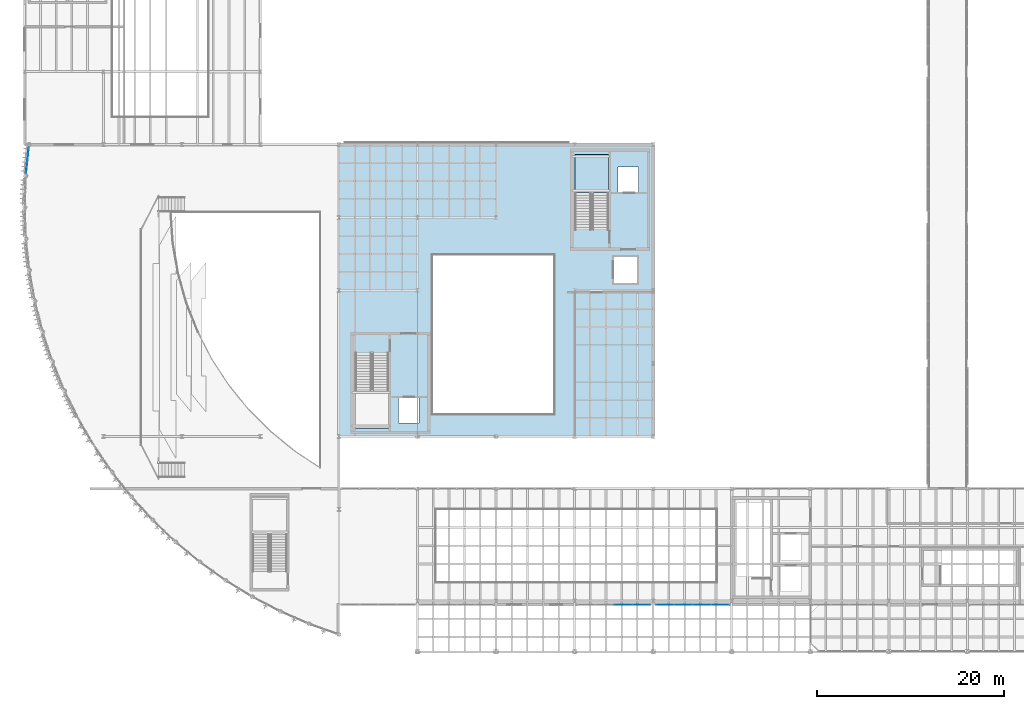
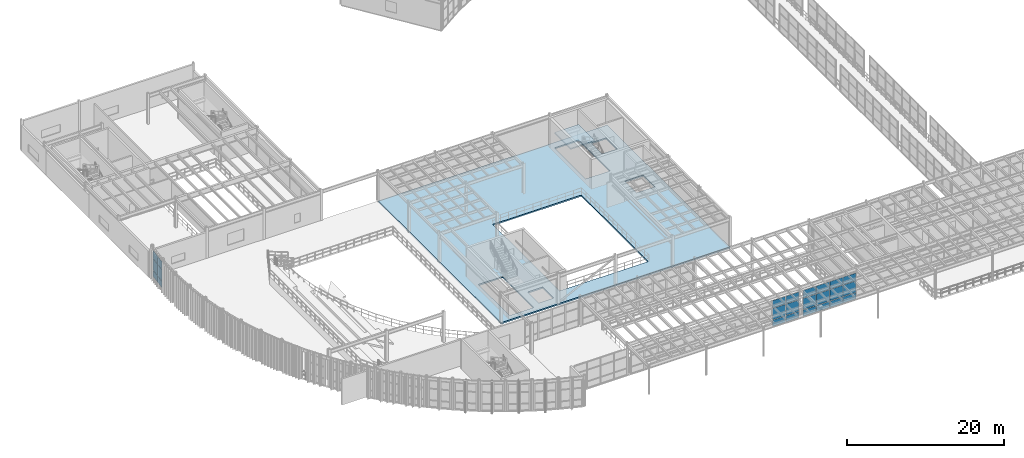
# One storey, part 75 of 105: 24 plates, 2 slabs, 4 elements without a shape of their own.
"""IFC4 building model written with IfcOpenShell, lengths in metres."""

from ifc_helpers import new_model, si_unit, direction, frame, origin, origin_2d, place, context, subcontext, project, spatial, polyline, rectangle, outline, extrude, material, layer, layer_set, type_object, element, aggregate, save


model = new_model("IFC4")

# Units and contexts
model_context = context("Model", 3, precision=1e-05, world=origin(), true_north=direction((0.0, 1.0)))
body_context = subcontext(model_context, "Body", "Model", "MODEL_VIEW")
ifc_project = project(units=[si_unit("LENGTHUNIT", "METRE"), si_unit("AREAUNIT", "SQUARE_METRE"), si_unit("VOLUMEUNIT", "CUBIC_METRE"), si_unit("PLANEANGLEUNIT", "RADIAN"), si_unit("MASSUNIT", "GRAM", prefix="KILO")], contexts=[model_context])

# Site, building, storey
site_placement = place(None, origin())
site = spatial("IfcSite", under=ifc_project, at=site_placement, CompositionType="ELEMENT")
building_placement = place(site_placement, origin())
building = spatial("IfcBuilding", under=site, at=building_placement, Name="Selat Folded Stagehouse", CompositionType="ELEMENT")
storey_placement = place(building_placement, frame((0.0, 0.0, 10.199951171875)))
storey = spatial("IfcBuildingStorey", under=building, at=storey_placement, Name="L02", CompositionType="ELEMENT", Elevation=10.199951171875)

# Curtain wall, plates
ifc_material_1 = material(Name="Aluminium 6063-T6", Category="aluminium")
ifc_layer_1 = layer(ifc_material_1, 0.199951171875)
ifc_layer_set_1 = layer_set([ifc_layer_1], Name="Aluminium 6063-T6")
curtain_wall_type_1 = type_object("IfcCurtainWallType", Name="CW-DRM-MID", PredefinedType="NOTDEFINED", material=ifc_layer_set_1)
curtain_wall_1_placement = place(storey_placement, origin())
curtain_wall_1 = element("IfcCurtainWall", 1, at=curtain_wall_1_placement, inside=storey, type_object=curtain_wall_type_1, Name="L02 curtain wall CW-DRM-L02-00", PredefinedType="NOTDEFINED")
ifc_material_2 = material(Name="Laminated low-E double glazing", Category="glass")
ifc_layer_2 = layer(ifc_material_2, 0.031982421875)
ifc_layer_set_2 = layer_set([ifc_layer_2], Name="Laminated low-E double glazing")
plate_type_1 = type_object("IfcPlateType", Name="CWP-GLZ-DGU32", PredefinedType="CURTAIN_PANEL", material=ifc_layer_set_2)
plate_1_placement = place(storey_placement, frame((0.211181640625, 52.22705078125, 0.06494140625), z_axis=(0.0, 0.0, 1.0), x_axis=(0.102616116059, 0.994721032614, 0.0)))
plate_1 = element("IfcPlate", 2, at=plate_1_placement, type_object=plate_type_1, Name="CW-02 panel 1.1", PredefinedType="CURTAIN_PANEL", context=body_context, shape_type="SweptSolid", body=[
    extrude(rectangle(XDim=1.3369140625, YDim=0.031982421875, at=origin_2d()), origin(), (0.0, 0.0, 1.0), 0.952392578125),
])
plate_2_placement = place(storey_placement, frame((0.211181640625, 52.22705078125, 1.08251953125), z_axis=(0.0, 0.0, 1.0), x_axis=(0.102616116059, 0.994721032614, 0.0)))
plate_2 = element("IfcPlate", 3, at=plate_2_placement, type_object=plate_type_1, Name="CW-02 panel 1.2", PredefinedType="CURTAIN_PANEL", context=body_context, shape_type="SweptSolid", body=[
    extrude(rectangle(XDim=1.3369140625, YDim=0.031982421875, at=origin_2d()), origin(), (0.0, 0.0, 1.0), 1.735107421875),
])
plate_3_placement = place(storey_placement, frame((0.211181640625, 52.22705078125, 2.882568359375), z_axis=(0.0, 0.0, 1.0), x_axis=(0.102616116059, 0.994721032614, 0.0)))
plate_3 = element("IfcPlate", 4, at=plate_3_placement, type_object=plate_type_1, Name="CW-02 panel 1.3", PredefinedType="CURTAIN_PANEL", context=body_context, shape_type="SweptSolid", body=[
    extrude(rectangle(XDim=1.3369140625, YDim=0.031982421875, at=origin_2d()), origin(), (0.0, 0.0, 1.0), 1.21240234375),
])
plate_4_placement = place(storey_placement, frame((0.35498046875, 53.62158203125, 0.06494140625), z_axis=(0.0, 0.0, 1.0), x_axis=(0.102616116059, 0.994721032614, 0.0)))
plate_4 = element("IfcPlate", 5, at=plate_4_placement, type_object=plate_type_1, Name="CW-02 panel 2.1", PredefinedType="CURTAIN_PANEL", context=body_context, shape_type="SweptSolid", body=[
    extrude(rectangle(XDim=1.3369140625, YDim=0.031982421875, at=origin_2d()), origin(), (0.0, 0.0, 1.0), 0.952392578125),
])
plate_5_placement = place(storey_placement, frame((0.35498046875, 53.62158203125, 1.08251953125), z_axis=(0.0, 0.0, 1.0), x_axis=(0.102616116059, 0.994721032614, 0.0)))
plate_5 = element("IfcPlate", 6, at=plate_5_placement, type_object=plate_type_1, Name="CW-02 panel 2.2", PredefinedType="CURTAIN_PANEL", context=body_context, shape_type="SweptSolid", body=[
    extrude(rectangle(XDim=1.3369140625, YDim=0.031982421875, at=origin_2d()), origin(), (0.0, 0.0, 1.0), 1.735107421875),
])
plate_6_placement = place(storey_placement, frame((0.35498046875, 53.62158203125, 2.882568359375), z_axis=(0.0, 0.0, 1.0), x_axis=(0.102616116059, 0.994721032614, 0.0)))
plate_6 = element("IfcPlate", 7, at=plate_6_placement, type_object=plate_type_1, Name="CW-02 panel 2.3", PredefinedType="CURTAIN_PANEL", context=body_context, shape_type="SweptSolid", body=[
    extrude(rectangle(XDim=1.3369140625, YDim=0.031982421875, at=origin_2d()), origin(), (0.0, 0.0, 1.0), 1.21240234375),
])
aggregate(curtain_wall_1, [plate_1, plate_2, plate_3, plate_4, plate_5, plate_6])

ifc_layer_3 = layer(ifc_material_1, 0.2099609375)
ifc_layer_set_3 = layer_set([ifc_layer_3], Name="Aluminium 6063-T6")
curtain_wall_type_2 = type_object("IfcCurtainWallType", Name="CW-FYR-SOUTH", PredefinedType="NOTDEFINED", material=ifc_layer_set_3)
curtain_wall_2_placement = place(storey_placement, origin())
curtain_wall_2 = element("IfcCurtainWall", 8, at=curtain_wall_2_placement, inside=storey, type_object=curtain_wall_type_2, Name="L02 curtain wall CW-FYR-L02-02", PredefinedType="NOTDEFINED")
ifc_material_3 = material(Name="Acoustic laminated double glazing", Category="glass")
ifc_layer_4 = layer(ifc_material_3, 0.035888671875)
ifc_layer_set_4 = layer_set([ifc_layer_4], Name="Acoustic laminated double glazing")
plate_type_2 = type_object("IfcPlateType", Name="CWP-GLZ-DGU36", PredefinedType="CURTAIN_PANEL", material=ifc_layer_set_4)
plate_7_placement = place(storey_placement, frame((65.9462890625, 5.39990234375, 0.06494140625), z_axis=(0.0, 0.0, 1.0), x_axis=(-1.0, 0.0, 0.0)))
plate_7 = element("IfcPlate", 9, at=plate_7_placement, type_object=plate_type_2, Name="CW-04 panel 1.1", PredefinedType="CURTAIN_PANEL", context=body_context, shape_type="SweptSolid", body=[
    extrude(rectangle(XDim=1.87744140625, YDim=0.035888671875, at=origin_2d()), origin(), (0.0, 0.0, 1.0), 0.952392578125),
])
plate_8_placement = place(storey_placement, frame((65.9462890625, 5.39990234375, 1.08251953125), z_axis=(0.0, 0.0, 1.0), x_axis=(-1.0, 0.0, 0.0)))
plate_8 = element("IfcPlate", 10, at=plate_8_placement, type_object=plate_type_2, Name="CW-04 panel 1.2", PredefinedType="CURTAIN_PANEL", context=body_context, shape_type="SweptSolid", body=[
    extrude(rectangle(XDim=1.87744140625, YDim=0.035888671875, at=origin_2d()), origin(), (0.0, 0.0, 1.0), 1.735107421875),
])
plate_9_placement = place(storey_placement, frame((65.9462890625, 5.39990234375, 2.88232421875), z_axis=(0.0, 0.0, 1.0), x_axis=(-1.0, 0.0, 0.0)))
plate_9 = element("IfcPlate", 11, at=plate_9_placement, type_object=plate_type_2, Name="CW-04 panel 1.3", PredefinedType="CURTAIN_PANEL", context=body_context, shape_type="SweptSolid", body=[
    extrude(rectangle(XDim=1.87744140625, YDim=0.035888671875, at=origin_2d()), origin(), (0.0, 0.0, 1.0), 1.172607421875),
])
plate_10_placement = place(storey_placement, frame((63.987548828125, 5.39990234375, 0.06494140625), z_axis=(0.0, 0.0, 1.0), x_axis=(-1.0, 0.0, 0.0)))
plate_10 = element("IfcPlate", 12, at=plate_10_placement, type_object=plate_type_2, Name="CW-04 panel 2.1", PredefinedType="CURTAIN_PANEL", context=body_context, shape_type="SweptSolid", body=[
    extrude(rectangle(XDim=1.909912109375, YDim=0.035888671875, at=origin_2d()), origin(), (0.0, 0.0, 1.0), 0.952392578125),
])
plate_11_placement = place(storey_placement, frame((63.987548828125, 5.39990234375, 1.08251953125), z_axis=(0.0, 0.0, 1.0), x_axis=(-1.0, 0.0, 0.0)))
plate_11 = element("IfcPlate", 13, at=plate_11_placement, type_object=plate_type_2, Name="CW-04 panel 2.2", PredefinedType="CURTAIN_PANEL", context=body_context, shape_type="SweptSolid", body=[
    extrude(rectangle(XDim=1.909912109375, YDim=0.035888671875, at=origin_2d()), origin(), (0.0, 0.0, 1.0), 1.735107421875),
])
plate_12_placement = place(storey_placement, frame((63.987548828125, 5.39990234375, 2.88232421875), z_axis=(0.0, 0.0, 1.0), x_axis=(-1.0, 0.0, 0.0)))
plate_12 = element("IfcPlate", 14, at=plate_12_placement, type_object=plate_type_2, Name="CW-04 panel 2.3", PredefinedType="CURTAIN_PANEL", context=body_context, shape_type="SweptSolid", body=[
    extrude(rectangle(XDim=1.909912109375, YDim=0.035888671875, at=origin_2d()), origin(), (0.0, 0.0, 1.0), 1.172607421875),
])
aggregate(curtain_wall_2, [plate_7, plate_8, plate_9, plate_10, plate_11, plate_12])

curtain_wall_3_placement = place(storey_placement, origin())
curtain_wall_3 = element("IfcCurtainWall", 15, at=curtain_wall_3_placement, inside=storey, type_object=curtain_wall_type_2, Name="L02 curtain wall CW-FYR-L02-03", PredefinedType="NOTDEFINED")
plate_13_placement = place(storey_placement, frame((74.34619140625, 5.39990234375, 0.06494140625), z_axis=(0.0, 0.0, 1.0), x_axis=(-1.0, 0.0, 0.0)))
plate_13 = element("IfcPlate", 16, at=plate_13_placement, type_object=plate_type_2, Name="CW-04 panel 1.1", PredefinedType="CURTAIN_PANEL", context=body_context, shape_type="SweptSolid", body=[
    extrude(rectangle(XDim=1.87744140625, YDim=0.035888671875, at=origin_2d()), origin(), (0.0, 0.0, 1.0), 0.952392578125),
])
plate_14_placement = place(storey_placement, frame((74.34619140625, 5.39990234375, 1.08251953125), z_axis=(0.0, 0.0, 1.0), x_axis=(-1.0, 0.0, 0.0)))
plate_14 = element("IfcPlate", 17, at=plate_14_placement, type_object=plate_type_2, Name="CW-04 panel 1.2", PredefinedType="CURTAIN_PANEL", context=body_context, shape_type="SweptSolid", body=[
    extrude(rectangle(XDim=1.87744140625, YDim=0.035888671875, at=origin_2d()), origin(), (0.0, 0.0, 1.0), 1.735107421875),
])
plate_15_placement = place(storey_placement, frame((74.34619140625, 5.39990234375, 2.88232421875), z_axis=(0.0, 0.0, 1.0), x_axis=(-1.0, 0.0, 0.0)))
plate_15 = element("IfcPlate", 18, at=plate_15_placement, type_object=plate_type_2, Name="CW-04 panel 1.3", PredefinedType="CURTAIN_PANEL", context=body_context, shape_type="SweptSolid", body=[
    extrude(rectangle(XDim=1.87744140625, YDim=0.035888671875, at=origin_2d()), origin(), (0.0, 0.0, 1.0), 1.172607421875),
])
plate_16_placement = place(storey_placement, frame((72.387451171875, 5.39990234375, 0.06494140625), z_axis=(0.0, 0.0, 1.0), x_axis=(-1.0, 0.0, 0.0)))
plate_16 = element("IfcPlate", 19, at=plate_16_placement, type_object=plate_type_2, Name="CW-04 panel 2.1", PredefinedType="CURTAIN_PANEL", context=body_context, shape_type="SweptSolid", body=[
    extrude(rectangle(XDim=1.909912109375, YDim=0.035888671875, at=origin_2d()), origin(), (0.0, 0.0, 1.0), 0.952392578125),
])
plate_17_placement = place(storey_placement, frame((72.387451171875, 5.39990234375, 1.08251953125), z_axis=(0.0, 0.0, 1.0), x_axis=(-1.0, 0.0, 0.0)))
plate_17 = element("IfcPlate", 20, at=plate_17_placement, type_object=plate_type_2, Name="CW-04 panel 2.2", PredefinedType="CURTAIN_PANEL", context=body_context, shape_type="SweptSolid", body=[
    extrude(rectangle(XDim=1.909912109375, YDim=0.035888671875, at=origin_2d()), origin(), (0.0, 0.0, 1.0), 1.735107421875),
])
plate_18_placement = place(storey_placement, frame((72.387451171875, 5.39990234375, 2.88232421875), z_axis=(0.0, 0.0, 1.0), x_axis=(-1.0, 0.0, 0.0)))
plate_18 = element("IfcPlate", 21, at=plate_18_placement, type_object=plate_type_2, Name="CW-04 panel 2.3", PredefinedType="CURTAIN_PANEL", context=body_context, shape_type="SweptSolid", body=[
    extrude(rectangle(XDim=1.909912109375, YDim=0.035888671875, at=origin_2d()), origin(), (0.0, 0.0, 1.0), 1.172607421875),
])
plate_19_placement = place(storey_placement, frame((70.41259765625, 5.39990234375, 0.06494140625), z_axis=(0.0, 0.0, 1.0), x_axis=(-1.0, 0.0, 0.0)))
plate_19 = element("IfcPlate", 22, at=plate_19_placement, type_object=plate_type_2, Name="CW-04 panel 3.1", PredefinedType="CURTAIN_PANEL", context=body_context, shape_type="SweptSolid", body=[
    extrude(rectangle(XDim=1.909912109375, YDim=0.035888671875, at=origin_2d()), origin(), (0.0, 0.0, 1.0), 0.952392578125),
])
plate_20_placement = place(storey_placement, frame((70.41259765625, 5.39990234375, 1.08251953125), z_axis=(0.0, 0.0, 1.0), x_axis=(-1.0, 0.0, 0.0)))
plate_20 = element("IfcPlate", 23, at=plate_20_placement, type_object=plate_type_2, Name="CW-04 panel 3.2", PredefinedType="CURTAIN_PANEL", context=body_context, shape_type="SweptSolid", body=[
    extrude(rectangle(XDim=1.909912109375, YDim=0.035888671875, at=origin_2d()), origin(), (0.0, 0.0, 1.0), 1.735107421875),
])
plate_21_placement = place(storey_placement, frame((70.41259765625, 5.39990234375, 2.88232421875), z_axis=(0.0, 0.0, 1.0), x_axis=(-1.0, 0.0, 0.0)))
plate_21 = element("IfcPlate", 24, at=plate_21_placement, type_object=plate_type_2, Name="CW-04 panel 3.3", PredefinedType="CURTAIN_PANEL", context=body_context, shape_type="SweptSolid", body=[
    extrude(rectangle(XDim=1.909912109375, YDim=0.035888671875, at=origin_2d()), origin(), (0.0, 0.0, 1.0), 1.172607421875),
])
plate_22_placement = place(storey_placement, frame((68.453857421875, 5.39990234375, 0.06494140625), z_axis=(0.0, 0.0, 1.0), x_axis=(-1.0, 0.0, 0.0)))
plate_22 = element("IfcPlate", 25, at=plate_22_placement, type_object=plate_type_2, Name="CW-04 panel 4.1", PredefinedType="CURTAIN_PANEL", context=body_context, shape_type="SweptSolid", body=[
    extrude(rectangle(XDim=1.87744140625, YDim=0.035888671875, at=origin_2d()), origin(), (0.0, 0.0, 1.0), 0.952392578125),
])
plate_23_placement = place(storey_placement, frame((68.453857421875, 5.39990234375, 1.08251953125), z_axis=(0.0, 0.0, 1.0), x_axis=(-1.0, 0.0, 0.0)))
plate_23 = element("IfcPlate", 26, at=plate_23_placement, type_object=plate_type_2, Name="CW-04 panel 4.2", PredefinedType="CURTAIN_PANEL", context=body_context, shape_type="SweptSolid", body=[
    extrude(rectangle(XDim=1.87744140625, YDim=0.035888671875, at=origin_2d()), origin(), (0.0, 0.0, 1.0), 1.735107421875),
])
plate_24_placement = place(storey_placement, frame((68.453857421875, 5.39990234375, 2.88232421875), z_axis=(0.0, 0.0, 1.0), x_axis=(-1.0, 0.0, 0.0)))
plate_24 = element("IfcPlate", 27, at=plate_24_placement, type_object=plate_type_2, Name="CW-04 panel 4.3", PredefinedType="CURTAIN_PANEL", context=body_context, shape_type="SweptSolid", body=[
    extrude(rectangle(XDim=1.87744140625, YDim=0.035888671875, at=origin_2d()), origin(), (0.0, 0.0, 1.0), 1.172607421875),
])
aggregate(curtain_wall_3, [plate_13, plate_14, plate_15, plate_16, plate_17, plate_18, plate_19, plate_20, plate_21, plate_22, plate_23, plate_24])

# Slab
ifc_material_4 = material(Name="Concrete C40/50", Category="concrete")
ifc_layer_5 = layer(ifc_material_4, 0.219970703125)
ifc_layer_set_5 = layer_set([ifc_layer_5], Name="Concrete C40/50")
slab_type_1 = type_object("IfcSlabType", Name="SLAB-FLR-220", PredefinedType="FLOOR", material=ifc_layer_set_5)
slab_1_placement = place(storey_placement, frame((0.0, 0.0, -0.219970703125)))
element("IfcSlab", 28, at=slab_1_placement, inside=storey, type_object=slab_type_1, Name="L02 V2 floor slab SL-L02-V2", PredefinedType="FLOOR", context=body_context, shape_type="SweptSolid", body=[
    extrude(outline(polyline([(33.60009765625, 23.39990234375), (67.199951171875, 23.39990234375), (67.199951171875, 54.60009765625), (33.60009765625, 54.60009765625), (33.60009765625, 23.39990234375)]), holes=[polyline([(39.949951171875, 24.800048828125), (39.949951171875, 27.60009765625), (42.14990234375, 27.60009765625), (42.14990234375, 24.800048828125), (39.949951171875, 24.800048828125)]), polyline([(35.360107421875, 32.179931640625), (38.919921875, 32.179931640625), (38.919921875, 24.239990234375), (35.360107421875, 24.239990234375), (35.360107421875, 32.179931640625)]), polyline([(43.60009765625, 25.800048828125), (43.60009765625, 42.800048828125), (56.60009765625, 42.800048828125), (56.60009765625, 25.800048828125), (43.60009765625, 25.800048828125)]), polyline([(62.89990234375, 39.699951171875), (62.89990234375, 42.699951171875), (65.60009765625, 42.699951171875), (65.60009765625, 39.699951171875), (62.89990234375, 39.699951171875)]), polyline([(58.860107421875, 53.56005859375), (62.419921875, 53.56005859375), (62.419921875, 45.6201171875), (58.860107421875, 45.6201171875), (58.860107421875, 53.56005859375)]), polyline([(63.449951171875, 52.199951171875), (65.64990234375, 52.199951171875), (65.64990234375, 49.39990234375), (63.449951171875, 49.39990234375), (63.449951171875, 52.199951171875)])]), origin(), (0.0, 0.0, 1.0), 0.219970703125),
])

# Stair, slab
stair_type = type_object("IfcStairType", Name="STR-DOG-1700-30R", PredefinedType="HALF_TURN_STAIR", material=ifc_material_4)
stair_placement = place(storey_placement, origin())
stair = element("IfcStair", 29, at=stair_placement, inside=storey, type_object=stair_type, Name="L02 Core 2 North-East Stage Fire Core", PredefinedType="HALF_TURN_STAIR")
ifc_layer_6 = layer(ifc_material_4, 0.199951171875)
ifc_layer_set_6 = layer_set([ifc_layer_6], Name="Concrete C40/50")
slab_type_2 = type_object("IfcSlabType", Name="SLAB-STR-LDG-200", PredefinedType="LANDING", material=ifc_layer_set_6)
slab_2_placement = place(storey_placement, frame((0.0, 0.0, 2.199951171875)))
slab_2 = element("IfcSlab", 30, at=slab_2_placement, type_object=slab_type_2, Name="ST-1700-30R landing 1", PredefinedType="LANDING", context=body_context, shape_type="SweptSolid", body=[
    extrude(outline(polyline([(62.419921875, 49.449951171875), (62.419921875, 53.56005859375), (58.860107421875, 53.56005859375), (58.860107421875, 49.449951171875), (62.419921875, 49.449951171875)])), origin(), (0.0, 0.0, 1.0), 0.2001953125),
])
aggregate(stair, [slab_2])

save(model, "model.ifc")
